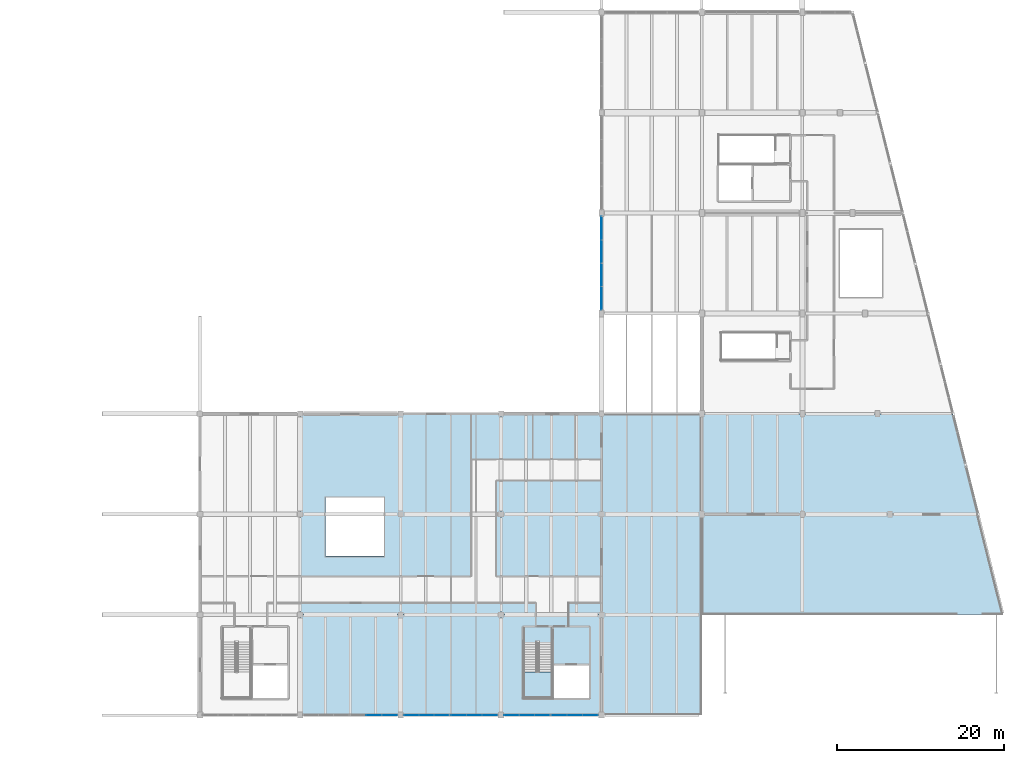
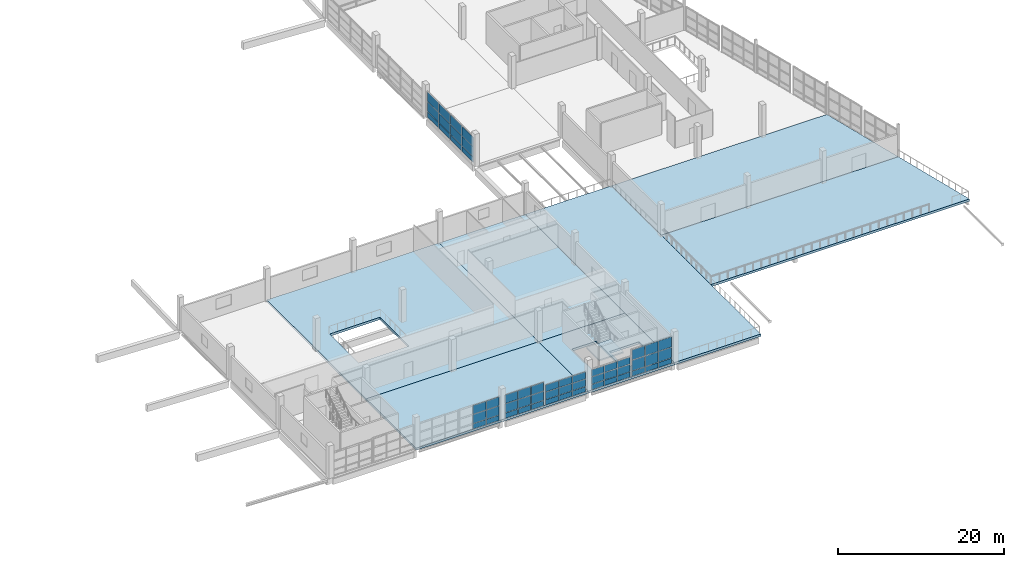
# One storey, part 30 of 49: 54 plates, 8 slabs, 7 elements without a shape of their own.
"""IFC4 building model written with IfcOpenShell, lengths in metres."""

import ifcopenshell
import ifcopenshell.guid

model = None  # the IFC model being written
_history = None  # IfcOwnerHistory: only IFC2X3 demands one
_inside = {}  # id of a spatial element -> (the spatial element, [elements in it])
_under = {}  # id of a project, library or spatial element -> (it, [spatial elements below it])
_declared = {}  # id of a project -> (the project, [libraries it declares])
_typed = {}  # id of a type object -> (the type object, [elements of that type])
_made_of = {}  # id of a material, layer set ... -> (it, [elements and type objects made of it])


def new_model(schema):
    """Start an empty IFC model of exactly this schema.

    Asked for "IFC4X3", IfcOpenShell would pick the latest addendum, in which some entities
    have other attributes; the version numbers below select the first issue.
    IFC2X3 requires an IfcOwnerHistory on every rooted entity: one is made here for all.
    """
    global model, _history
    if schema == "IFC4X3":
        model = ifcopenshell.file(schema_version=(4, 3, 0, 0))
    else:
        model = ifcopenshell.file(schema=schema)
    _inside.clear()
    _under.clear()
    _declared.clear()
    _typed.clear()
    _made_of.clear()
    _history = None
    if model.schema == "IFC2X3":
        org = make("IfcOrganization", Name="unknown")
        user = make(
            "IfcPersonAndOrganization",
            ThePerson=make("IfcPerson", FamilyName="unknown"),
            TheOrganization=org,
        )
        app = make(
            "IfcApplication",
            ApplicationDeveloper=org,
            Version="unknown",
            ApplicationFullName="unknown",
            ApplicationIdentifier="unknown",
        )
        _history = make(
            "IfcOwnerHistory",
            OwningUser=user,
            OwningApplication=app,
            ChangeAction="ADDED",
            CreationDate=0,
        )
    return model


def make(cls, **values):
    """One entity of the class cls with the attributes given. An attribute that is None is left unset."""
    return model.create_entity(
        cls, **{name: value for name, value in values.items() if value is not None}
    )


def rooted(cls, **values):
    """An entity with a GlobalId (a new one), such as an element, a storey or a relation."""
    return make(cls, GlobalId=ifcopenshell.guid.new(), OwnerHistory=_history, **values)


def si_unit(unit_type, name, prefix=None):
    """IfcSIUnit, for example si_unit("LENGTHUNIT", "METRE", prefix="MILLI")."""
    return make("IfcSIUnit", UnitType=unit_type, Prefix=prefix, Name=name)


def assignment(units):
    """IfcUnitAssignment: the units of a project."""
    return None if units is None else make("IfcUnitAssignment", Units=units)


def point(xyz):
    """IfcCartesianPoint."""
    return None if xyz is None else make("IfcCartesianPoint", Coordinates=xyz)


def direction(xyz):
    """IfcDirection."""
    return None if xyz is None else make("IfcDirection", DirectionRatios=xyz)


def frame(location, z_axis=None, x_axis=None):
    """IfcAxis2Placement3D, a coordinate frame: its origin and axes. An axis left out is left unset."""
    return make(
        "IfcAxis2Placement3D",
        Location=point(location),
        Axis=direction(z_axis),
        RefDirection=direction(x_axis),
    )


def frame_2d(location, x_axis=None):
    """IfcAxis2Placement2D, a coordinate frame in the plane: its origin and x axis."""
    return make(
        "IfcAxis2Placement2D", Location=point(location), RefDirection=direction(x_axis)
    )


def origin():
    """The frame at (0, 0, 0) with its axes left unset."""
    return frame((0.0, 0.0, 0.0))


def origin_2d():
    """The frame at (0, 0) in the plane with its x axis left unset."""
    return frame_2d((0.0, 0.0))


def place(relative_to, where):
    """IfcLocalPlacement: puts the frame where relative to a parent placement (None: the world)."""
    return make(
        "IfcLocalPlacement", PlacementRelTo=relative_to, RelativePlacement=where
    )


def context(
    kind, dimensions, precision=None, world=None, true_north=None, identifier=None
):
    """IfcGeometricRepresentationContext, for example the 3D "Model" context."""
    return make(
        "IfcGeometricRepresentationContext",
        ContextIdentifier=identifier,
        ContextType=kind,
        CoordinateSpaceDimension=dimensions,
        Precision=precision,
        WorldCoordinateSystem=world,
        TrueNorth=true_north,
    )


def subcontext(parent, identifier, kind, view, scale=None):
    """IfcGeometricRepresentationSubContext, for example "Body" below "Model"."""
    return make(
        "IfcGeometricRepresentationSubContext",
        ContextIdentifier=identifier,
        ContextType=kind,
        ParentContext=parent,
        TargetScale=scale,
        TargetView=view,
    )


def project(units=None, contexts=None):
    """IfcProject with its units and contexts."""
    return rooted(
        "IfcProject",
        Name="project",
        RepresentationContexts=contexts,
        UnitsInContext=assignment(units),
    )


def spatial(cls, under=None, at=None, **own):
    """A site, building, storey or space (cls), placed at a placement, below another one or the project."""
    s = rooted(cls, ObjectPlacement=at, **own)
    if under is not None:
        _under.setdefault(under.id(), (under, []))[1].append(s)
    return s


def polyline(points):
    """IfcPolyline through the points."""
    return make("IfcPolyline", Points=[point(p) for p in points])


def profile(cls, at=None, kind="AREA", **sizes):
    """A parametric profile (cls). Its sizes go by their IFC names, for example OverallWidth=200.0."""
    return make(cls, ProfileType=kind, Position=at, **sizes)


def rectangle(**sizes):
    """IfcRectangleProfileDef."""
    return profile("IfcRectangleProfileDef", **sizes)


def outline(outer, holes=None, kind="AREA"):
    """IfcArbitraryClosedProfileDef: a profile drawn as a closed curve; with holes, ...WithVoids."""
    if holes is None:
        return make("IfcArbitraryClosedProfileDef", ProfileType=kind, OuterCurve=outer)
    return make(
        "IfcArbitraryProfileDefWithVoids",
        ProfileType=kind,
        OuterCurve=outer,
        InnerCurves=holes,
    )


def extrude(swept, where, along, depth):
    """IfcExtrudedAreaSolid: the profile swept, set in the frame where, extruded along a direction by depth."""
    return make(
        "IfcExtrudedAreaSolid",
        SweptArea=swept,
        Position=where,
        ExtrudedDirection=direction(along),
        Depth=depth,
    )


def shape(context_of_items, identifier, shape_type, items):
    """IfcShapeRepresentation: the items that make up one representation, for example the "Body"."""
    return make(
        "IfcShapeRepresentation",
        ContextOfItems=context_of_items,
        RepresentationIdentifier=identifier,
        RepresentationType=shape_type,
        Items=items,
    )


def material(Name=None, Category=None):
    """IfcMaterial."""
    return make("IfcMaterial", Name=Name, Category=Category)


def layer(
    of_material, thickness, ventilated=None, Name=None, Category=None, Priority=None
):
    """IfcMaterialLayer: one layer of a wall or slab, of a material (None: an air gap)."""
    return make(
        "IfcMaterialLayer",
        Material=of_material,
        LayerThickness=thickness,
        IsVentilated=ventilated,
        Name=Name,
        Category=Category,
        Priority=Priority,
    )


def layer_set(layers, Name=None):
    """IfcMaterialLayerSet."""
    return make("IfcMaterialLayerSet", MaterialLayers=layers, LayerSetName=Name)


def made_of(thing, what):
    """Note that an element or type object is made of a material, layer set ...; save() writes the relation."""
    if what is not None:
        _made_of.setdefault(what.id(), (what, []))[1].append(thing)
    return thing


def type_object(cls, material=None, **own):
    """A type object (cls), such as IfcWallType, which elements share."""
    return made_of(rooted(cls, **own), material)


def element(
    cls,
    number,
    at=None,
    inside=None,
    cuts=None,
    type_object=None,
    material=None,
    context=None,
    identifier="Body",
    shape_type=None,
    held_by="IfcProductDefinitionShape",
    body=None,
    shapes=None,
    **own,
):
    """One element of the class cls, such as IfcWall. Its Tag is "e" and its number.

    at: its placement. inside: the storey or other place that contains it. cuts: it is an
    opening in that element (IfcRelVoidsElement). A single representation is given by context,
    identifier, shape_type and body (its items); several are given by shapes. held_by: the class
    of the entity that holds the representations. save() writes the other relations.
    """
    e = rooted(cls, Tag="e%d" % number, ObjectPlacement=at, **own)
    if body is not None:
        shapes = [shape(context, identifier, shape_type, body)]
    if shapes is not None:
        e.Representation = make(held_by, Representations=shapes)
    if inside is not None:
        _inside.setdefault(inside.id(), (inside, []))[1].append(e)
    if cuts is not None:
        rooted(
            "IfcRelVoidsElement", RelatingBuildingElement=cuts, RelatedOpeningElement=e
        )
    if type_object is not None:
        _typed.setdefault(type_object.id(), (type_object, []))[1].append(e)
    return made_of(e, material)


def aggregate(whole, parts):
    """IfcRelAggregates: a whole, such as a stair, and the parts it consists of."""
    return rooted("IfcRelAggregates", RelatingObject=whole, RelatedObjects=parts)


def save(model, path):
    """Write the relations noted so far, then the file.

    IfcRelAggregates (storeys below a building ...), IfcRelContainedInSpatialStructure (elements
    in a storey), IfcRelDefinesByType, IfcRelAssociatesMaterial and IfcRelDeclares: one each for
    every whole, place, type object, material and project.
    """
    for whole, parts in _under.values():
        aggregate(whole, parts)
    for where, things in _inside.values():
        rooted(
            "IfcRelContainedInSpatialStructure",
            RelatedElements=things,
            RelatingStructure=where,
        )
    for kind, things in _typed.values():
        rooted("IfcRelDefinesByType", RelatedObjects=things, RelatingType=kind)
    for what, things in _made_of.values():
        rooted("IfcRelAssociatesMaterial", RelatedObjects=things, RelatingMaterial=what)
    for by, libraries in _declared.values():
        rooted("IfcRelDeclares", RelatingContext=by, RelatedDefinitions=libraries)
    model.write(path)


model = new_model("IFC4")

# Units and contexts
model_context = context("Model", 3, precision=1e-05, world=origin(), true_north=direction((0.0, 1.0)))
body_context = subcontext(model_context, "Body", "Model", "MODEL_VIEW")
ifc_project = project(units=[si_unit("LENGTHUNIT", "METRE"), si_unit("AREAUNIT", "SQUARE_METRE"), si_unit("VOLUMEUNIT", "CUBIC_METRE"), si_unit("PLANEANGLEUNIT", "RADIAN"), si_unit("MASSUNIT", "GRAM", prefix="KILO")], contexts=[model_context])

# Site, building, storey
site_placement = place(None, origin())
site = spatial("IfcSite", under=ifc_project, at=site_placement, CompositionType="ELEMENT")
building_placement = place(site_placement, origin())
building = spatial("IfcBuilding", under=site, at=building_placement, Name="Kamomehara Wholesale Market", CompositionType="ELEMENT")
storey_placement = place(building_placement, frame((0.0, 0.0, 11.39990234375)))
storey = spatial("IfcBuildingStorey", under=building, at=storey_placement, Name="L02", CompositionType="ELEMENT", Elevation=11.39990234375)

# Curtain wall, plates
ifc_material_1 = material(Name="Anodised aluminium 6063-T5", Category="aluminium")
curtain_wall_type = type_object("IfcCurtainWallType", Name="CW-UN-01", PredefinedType="NOTDEFINED", material=ifc_material_1)
curtain_wall_1_placement = place(storey_placement, origin())
curtain_wall_1 = element("IfcCurtainWall", 1, at=curtain_wall_1_placement, inside=storey, type_object=curtain_wall_type, Name="Unitised curtain wall CW-145", PredefinedType="NOTDEFINED")
ifc_material_2 = material(Name="Solar-control Low-E double glazing", Category="glass")
ifc_layer_1 = layer(ifc_material_2, 0.028076171875)
ifc_layer_set_1 = layer_set([ifc_layer_1], Name="Solar-control Low-E double glazing")
plate_type_1 = type_object("IfcPlateType", Name="CW-PNL-GLZ", PredefinedType="CURTAIN_PANEL", material=ifc_layer_set_1)
plate_1_placement = place(storey_placement, frame((130.6669921875, 11.97998046875, 0.880126953125), z_axis=(0.0, 0.0, 1.0), x_axis=(-1.0, 0.0, 0.0)))
plate_1 = element("IfcPlate", 2, at=plate_1_placement, type_object=plate_type_1, Name="Curtain panel CW-145.0.1", PredefinedType="CURTAIN_PANEL", context=body_context, shape_type="SweptSolid", body=[
    extrude(rectangle(XDim=1.787109375, YDim=0.028076171875, at=origin_2d()), origin(), (0.0, 0.0, 1.0), 1.31396484375),
])
plate_2_placement = place(storey_placement, frame((130.6669921875, 11.97998046875, 2.254150390625), z_axis=(0.0, 0.0, 1.0), x_axis=(-1.0, 0.0, 0.0)))
plate_2 = element("IfcPlate", 3, at=plate_2_placement, type_object=plate_type_1, Name="Curtain panel CW-145.0.2", PredefinedType="CURTAIN_PANEL", context=body_context, shape_type="SweptSolid", body=[
    extrude(rectangle(XDim=1.787109375, YDim=0.028076171875, at=origin_2d()), origin(), (0.0, 0.0, 1.0), 1.27392578125),
])
plate_3_placement = place(storey_placement, frame((128.800048828125, 11.97998046875, 0.880126953125), z_axis=(0.0, 0.0, 1.0), x_axis=(-1.0, 0.0, 0.0)))
plate_3 = element("IfcPlate", 4, at=plate_3_placement, type_object=plate_type_1, Name="Curtain panel CW-145.1.1", PredefinedType="CURTAIN_PANEL", context=body_context, shape_type="SweptSolid", body=[
    extrude(rectangle(XDim=1.787109375, YDim=0.028076171875, at=origin_2d()), origin(), (0.0, 0.0, 1.0), 1.31396484375),
])
plate_4_placement = place(storey_placement, frame((128.800048828125, 11.97998046875, 2.254150390625), z_axis=(0.0, 0.0, 1.0), x_axis=(-1.0, 0.0, 0.0)))
plate_4 = element("IfcPlate", 5, at=plate_4_placement, type_object=plate_type_1, Name="Curtain panel CW-145.1.2", PredefinedType="CURTAIN_PANEL", context=body_context, shape_type="SweptSolid", body=[
    extrude(rectangle(XDim=1.787109375, YDim=0.028076171875, at=origin_2d()), origin(), (0.0, 0.0, 1.0), 1.27392578125),
])

curtain_wall_2_placement = place(storey_placement, origin())
curtain_wall_2 = element("IfcCurtainWall", 6, at=curtain_wall_2_placement, inside=storey, type_object=curtain_wall_type, Name="Unitised curtain wall CW-147", PredefinedType="NOTDEFINED")
plate_5_placement = place(storey_placement, frame((142.6669921875, 11.97998046875, 0.8798828125), z_axis=(0.0, 0.0, 1.0), x_axis=(-1.0, 0.0, 0.0)))
plate_5 = element("IfcPlate", 7, at=plate_5_placement, type_object=plate_type_1, Name="Curtain panel CW-147.0.1", PredefinedType="CURTAIN_PANEL", context=body_context, shape_type="SweptSolid", body=[
    extrude(rectangle(XDim=1.787109375, YDim=0.028076171875, at=origin_2d()), origin(), (0.0, 0.0, 1.0), 1.053955078125),
])
plate_6_placement = place(storey_placement, frame((142.6669921875, 11.97998046875, 1.994140625), z_axis=(0.0, 0.0, 1.0), x_axis=(-1.0, 0.0, 0.0)))
plate_6 = element("IfcPlate", 8, at=plate_6_placement, type_object=plate_type_1, Name="Curtain panel CW-147.0.2", PredefinedType="CURTAIN_PANEL", context=body_context, shape_type="SweptSolid", body=[
    extrude(rectangle(XDim=1.787109375, YDim=0.028076171875, at=origin_2d()), origin(), (0.0, 0.0, 1.0), 1.013916015625),
])
plate_7_placement = place(storey_placement, frame((140.800048828125, 11.97998046875, 0.8798828125), z_axis=(0.0, 0.0, 1.0), x_axis=(-1.0, 0.0, 0.0)))
plate_7 = element("IfcPlate", 9, at=plate_7_placement, type_object=plate_type_1, Name="Curtain panel CW-147.1.1", PredefinedType="CURTAIN_PANEL", context=body_context, shape_type="SweptSolid", body=[
    extrude(rectangle(XDim=1.787109375, YDim=0.028076171875, at=origin_2d()), origin(), (0.0, 0.0, 1.0), 1.053955078125),
])
plate_8_placement = place(storey_placement, frame((140.800048828125, 11.97998046875, 1.994140625), z_axis=(0.0, 0.0, 1.0), x_axis=(-1.0, 0.0, 0.0)))
plate_8 = element("IfcPlate", 10, at=plate_8_placement, type_object=plate_type_1, Name="Curtain panel CW-147.1.2", PredefinedType="CURTAIN_PANEL", context=body_context, shape_type="SweptSolid", body=[
    extrude(rectangle(XDim=1.787109375, YDim=0.028076171875, at=origin_2d()), origin(), (0.0, 0.0, 1.0), 1.013916015625),
])
plate_9_placement = place(storey_placement, frame((138.93310546875, 11.97998046875, 0.8798828125), z_axis=(0.0, 0.0, 1.0), x_axis=(-1.0, 0.0, 0.0)))
plate_9 = element("IfcPlate", 11, at=plate_9_placement, type_object=plate_type_1, Name="Curtain panel CW-147.2.1", PredefinedType="CURTAIN_PANEL", context=body_context, shape_type="SweptSolid", body=[
    extrude(rectangle(XDim=1.787109375, YDim=0.028076171875, at=origin_2d()), origin(), (0.0, 0.0, 1.0), 1.053955078125),
])
plate_10_placement = place(storey_placement, frame((138.93310546875, 11.97998046875, 1.994140625), z_axis=(0.0, 0.0, 1.0), x_axis=(-1.0, 0.0, 0.0)))
plate_10 = element("IfcPlate", 12, at=plate_10_placement, type_object=plate_type_1, Name="Curtain panel CW-147.2.2", PredefinedType="CURTAIN_PANEL", context=body_context, shape_type="SweptSolid", body=[
    extrude(rectangle(XDim=1.787109375, YDim=0.028076171875, at=origin_2d()), origin(), (0.0, 0.0, 1.0), 1.013916015625),
])

curtain_wall_3_placement = place(storey_placement, origin())
curtain_wall_3 = element("IfcCurtainWall", 13, at=curtain_wall_3_placement, inside=storey, type_object=curtain_wall_type, Name="Unitised curtain wall CW-148", PredefinedType="NOTDEFINED")
plate_11_placement = place(storey_placement, frame((136.89306640625, 11.97998046875, 0.879638671875), z_axis=(0.0, 0.0, 1.0), x_axis=(-1.0, 0.0, 0.0)))
plate_11 = element("IfcPlate", 14, at=plate_11_placement, type_object=plate_type_1, Name="Curtain panel CW-148.0.1", PredefinedType="CURTAIN_PANEL", context=body_context, shape_type="SweptSolid", body=[
    extrude(rectangle(XDim=1.73291015625, YDim=0.028076171875, at=origin_2d()), origin(), (0.0, 0.0, 1.0), 1.30908203125),
])
plate_12_placement = place(storey_placement, frame((136.89306640625, 11.97998046875, 2.24951171875), z_axis=(0.0, 0.0, 1.0), x_axis=(-1.0, 0.0, 0.0)))
plate_12 = element("IfcPlate", 15, at=plate_12_placement, type_object=plate_type_1, Name="Curtain panel CW-148.0.2", PredefinedType="CURTAIN_PANEL", context=body_context, shape_type="SweptSolid", body=[
    extrude(rectangle(XDim=1.73291015625, YDim=0.028076171875, at=origin_2d()), origin(), (0.0, 0.0, 1.0), 1.26904296875),
])
plate_13_placement = place(storey_placement, frame((135.080078125, 11.97998046875, 0.879638671875), z_axis=(0.0, 0.0, 1.0), x_axis=(-1.0, 0.0, 0.0)))
plate_13 = element("IfcPlate", 16, at=plate_13_placement, type_object=plate_type_1, Name="Curtain panel CW-148.1.1", PredefinedType="CURTAIN_PANEL", context=body_context, shape_type="SweptSolid", body=[
    extrude(rectangle(XDim=1.73291015625, YDim=0.028076171875, at=origin_2d()), origin(), (0.0, 0.0, 1.0), 1.30908203125),
])
plate_14_placement = place(storey_placement, frame((135.080078125, 11.97998046875, 2.24951171875), z_axis=(0.0, 0.0, 1.0), x_axis=(-1.0, 0.0, 0.0)))
plate_14 = element("IfcPlate", 17, at=plate_14_placement, type_object=plate_type_1, Name="Curtain panel CW-148.1.2", PredefinedType="CURTAIN_PANEL", context=body_context, shape_type="SweptSolid", body=[
    extrude(rectangle(XDim=1.73291015625, YDim=0.028076171875, at=origin_2d()), origin(), (0.0, 0.0, 1.0), 1.26904296875),
])
plate_15_placement = place(storey_placement, frame((133.26708984375, 11.97998046875, 0.879638671875), z_axis=(0.0, 0.0, 1.0), x_axis=(-1.0, 0.0, 0.0)))
plate_15 = element("IfcPlate", 18, at=plate_15_placement, type_object=plate_type_1, Name="Curtain panel CW-148.2.1", PredefinedType="CURTAIN_PANEL", context=body_context, shape_type="SweptSolid", body=[
    extrude(rectangle(XDim=1.73291015625, YDim=0.028076171875, at=origin_2d()), origin(), (0.0, 0.0, 1.0), 1.30908203125),
])
plate_16_placement = place(storey_placement, frame((133.26708984375, 11.97998046875, 2.24951171875), z_axis=(0.0, 0.0, 1.0), x_axis=(-1.0, 0.0, 0.0)))
plate_16 = element("IfcPlate", 19, at=plate_16_placement, type_object=plate_type_1, Name="Curtain panel CW-148.2.2", PredefinedType="CURTAIN_PANEL", context=body_context, shape_type="SweptSolid", body=[
    extrude(rectangle(XDim=1.73291015625, YDim=0.028076171875, at=origin_2d()), origin(), (0.0, 0.0, 1.0), 1.26904296875),
])

curtain_wall_4_placement = place(storey_placement, origin())
curtain_wall_4 = element("IfcCurtainWall", 20, at=curtain_wall_4_placement, inside=storey, type_object=curtain_wall_type, Name="Unitised curtain wall CW-149", PredefinedType="NOTDEFINED")
plate_17_placement = place(storey_placement, frame((154.6669921875, 11.97998046875, 0.88037109375), z_axis=(0.0, 0.0, 1.0), x_axis=(-1.0, 0.0, 0.0)))
plate_17 = element("IfcPlate", 21, at=plate_17_placement, type_object=plate_type_1, Name="Curtain panel CW-149.0.1", PredefinedType="CURTAIN_PANEL", context=body_context, shape_type="SweptSolid", body=[
    extrude(rectangle(XDim=1.787109375, YDim=0.028076171875, at=origin_2d()), origin(), (0.0, 0.0, 1.0), 1.533935546875),
])
plate_18_placement = place(storey_placement, frame((154.6669921875, 11.97998046875, 2.47412109375), z_axis=(0.0, 0.0, 1.0), x_axis=(-1.0, 0.0, 0.0)))
plate_18 = element("IfcPlate", 22, at=plate_18_placement, type_object=plate_type_1, Name="Curtain panel CW-149.0.2", PredefinedType="CURTAIN_PANEL", context=body_context, shape_type="SweptSolid", body=[
    extrude(rectangle(XDim=1.787109375, YDim=0.028076171875, at=origin_2d()), origin(), (0.0, 0.0, 1.0), 1.493896484375),
])
plate_19_placement = place(storey_placement, frame((152.800048828125, 11.97998046875, 0.88037109375), z_axis=(0.0, 0.0, 1.0), x_axis=(-1.0, 0.0, 0.0)))
plate_19 = element("IfcPlate", 23, at=plate_19_placement, type_object=plate_type_1, Name="Curtain panel CW-149.1.1", PredefinedType="CURTAIN_PANEL", context=body_context, shape_type="SweptSolid", body=[
    extrude(rectangle(XDim=1.787109375, YDim=0.028076171875, at=origin_2d()), origin(), (0.0, 0.0, 1.0), 1.533935546875),
])
plate_20_placement = place(storey_placement, frame((152.800048828125, 11.97998046875, 2.47412109375), z_axis=(0.0, 0.0, 1.0), x_axis=(-1.0, 0.0, 0.0)))
plate_20 = element("IfcPlate", 24, at=plate_20_placement, type_object=plate_type_1, Name="Curtain panel CW-149.1.2", PredefinedType="CURTAIN_PANEL", context=body_context, shape_type="SweptSolid", body=[
    extrude(rectangle(XDim=1.787109375, YDim=0.028076171875, at=origin_2d()), origin(), (0.0, 0.0, 1.0), 1.493896484375),
])
plate_21_placement = place(storey_placement, frame((150.93310546875, 11.97998046875, 0.88037109375), z_axis=(0.0, 0.0, 1.0), x_axis=(-1.0, 0.0, 0.0)))
plate_21 = element("IfcPlate", 25, at=plate_21_placement, type_object=plate_type_1, Name="Curtain panel CW-149.2.1", PredefinedType="CURTAIN_PANEL", context=body_context, shape_type="SweptSolid", body=[
    extrude(rectangle(XDim=1.787109375, YDim=0.028076171875, at=origin_2d()), origin(), (0.0, 0.0, 1.0), 1.533935546875),
])
plate_22_placement = place(storey_placement, frame((150.93310546875, 11.97998046875, 2.47412109375), z_axis=(0.0, 0.0, 1.0), x_axis=(-1.0, 0.0, 0.0)))
plate_22 = element("IfcPlate", 26, at=plate_22_placement, type_object=plate_type_1, Name="Curtain panel CW-149.2.2", PredefinedType="CURTAIN_PANEL", context=body_context, shape_type="SweptSolid", body=[
    extrude(rectangle(XDim=1.787109375, YDim=0.028076171875, at=origin_2d()), origin(), (0.0, 0.0, 1.0), 1.493896484375),
])

curtain_wall_5_placement = place(storey_placement, origin())
curtain_wall_5 = element("IfcCurtainWall", 27, at=curtain_wall_5_placement, inside=storey, type_object=curtain_wall_type, Name="Unitised curtain wall CW-150", PredefinedType="NOTDEFINED")
plate_23_placement = place(storey_placement, frame((148.89306640625, 11.97998046875, 0.8798828125), z_axis=(0.0, 0.0, 1.0), x_axis=(-1.0, 0.0, 0.0)))
plate_23 = element("IfcPlate", 28, at=plate_23_placement, type_object=plate_type_1, Name="Curtain panel CW-150.0.1", PredefinedType="CURTAIN_PANEL", context=body_context, shape_type="SweptSolid", body=[
    extrude(rectangle(XDim=1.73291015625, YDim=0.028076171875, at=origin_2d()), origin(), (0.0, 0.0, 1.0), 1.053955078125),
])
plate_24_placement = place(storey_placement, frame((148.89306640625, 11.97998046875, 1.994140625), z_axis=(0.0, 0.0, 1.0), x_axis=(-1.0, 0.0, 0.0)))
plate_24 = element("IfcPlate", 29, at=plate_24_placement, type_object=plate_type_1, Name="Curtain panel CW-150.0.2", PredefinedType="CURTAIN_PANEL", context=body_context, shape_type="SweptSolid", body=[
    extrude(rectangle(XDim=1.73291015625, YDim=0.028076171875, at=origin_2d()), origin(), (0.0, 0.0, 1.0), 1.013916015625),
])
plate_25_placement = place(storey_placement, frame((147.080078125, 11.97998046875, 0.8798828125), z_axis=(0.0, 0.0, 1.0), x_axis=(-1.0, 0.0, 0.0)))
plate_25 = element("IfcPlate", 30, at=plate_25_placement, type_object=plate_type_1, Name="Curtain panel CW-150.1.1", PredefinedType="CURTAIN_PANEL", context=body_context, shape_type="SweptSolid", body=[
    extrude(rectangle(XDim=1.73291015625, YDim=0.028076171875, at=origin_2d()), origin(), (0.0, 0.0, 1.0), 1.053955078125),
])
plate_26_placement = place(storey_placement, frame((147.080078125, 11.97998046875, 1.994140625), z_axis=(0.0, 0.0, 1.0), x_axis=(-1.0, 0.0, 0.0)))
plate_26 = element("IfcPlate", 31, at=plate_26_placement, type_object=plate_type_1, Name="Curtain panel CW-150.1.2", PredefinedType="CURTAIN_PANEL", context=body_context, shape_type="SweptSolid", body=[
    extrude(rectangle(XDim=1.73291015625, YDim=0.028076171875, at=origin_2d()), origin(), (0.0, 0.0, 1.0), 1.013916015625),
])
plate_27_placement = place(storey_placement, frame((145.26708984375, 11.97998046875, 0.8798828125), z_axis=(0.0, 0.0, 1.0), x_axis=(-1.0, 0.0, 0.0)))
plate_27 = element("IfcPlate", 32, at=plate_27_placement, type_object=plate_type_1, Name="Curtain panel CW-150.2.1", PredefinedType="CURTAIN_PANEL", context=body_context, shape_type="SweptSolid", body=[
    extrude(rectangle(XDim=1.73291015625, YDim=0.028076171875, at=origin_2d()), origin(), (0.0, 0.0, 1.0), 1.053955078125),
])
plate_28_placement = place(storey_placement, frame((145.26708984375, 11.97998046875, 1.994140625), z_axis=(0.0, 0.0, 1.0), x_axis=(-1.0, 0.0, 0.0)))
plate_28 = element("IfcPlate", 33, at=plate_28_placement, type_object=plate_type_1, Name="Curtain panel CW-150.2.2", PredefinedType="CURTAIN_PANEL", context=body_context, shape_type="SweptSolid", body=[
    extrude(rectangle(XDim=1.73291015625, YDim=0.028076171875, at=origin_2d()), origin(), (0.0, 0.0, 1.0), 1.013916015625),
])

curtain_wall_6_placement = place(storey_placement, origin())
curtain_wall_6 = element("IfcCurtainWall", 34, at=curtain_wall_6_placement, inside=storey, type_object=curtain_wall_type, Name="Unitised curtain wall CW-208", PredefinedType="NOTDEFINED")
plate_29_placement = place(storey_placement, frame((155.97998046875, 61.806884765625, 0.88037109375), z_axis=(0.0, 0.0, 1.0), x_axis=(0.0, 1.0, 0.0)))
plate_29 = element("IfcPlate", 35, at=plate_29_placement, type_object=plate_type_1, Name="Curtain panel CW-208.0.1", PredefinedType="CURTAIN_PANEL", context=body_context, shape_type="SweptSolid", body=[
    extrude(rectangle(XDim=2.715087890625, YDim=0.028076171875, at=origin_2d()), origin(), (0.0, 0.0, 1.0), 1.429931640625),
])
plate_30_placement = place(storey_placement, frame((155.97998046875, 61.806884765625, 2.3701171875), z_axis=(0.0, 0.0, 1.0), x_axis=(0.0, 1.0, 0.0)))
plate_30 = element("IfcPlate", 36, at=plate_30_placement, type_object=plate_type_1, Name="Curtain panel CW-208.0.2", PredefinedType="CURTAIN_PANEL", context=body_context, shape_type="SweptSolid", body=[
    extrude(rectangle(XDim=2.715087890625, YDim=0.028076171875, at=origin_2d()), origin(), (0.0, 0.0, 1.0), 1.389892578125),
])
plate_31_placement = place(storey_placement, frame((155.97998046875, 64.60205078125, 0.88037109375), z_axis=(0.0, 0.0, 1.0), x_axis=(0.0, 1.0, 0.0)))
plate_31 = element("IfcPlate", 37, at=plate_31_placement, type_object=plate_type_1, Name="Curtain panel CW-208.1.1", PredefinedType="CURTAIN_PANEL", context=body_context, shape_type="SweptSolid", body=[
    extrude(rectangle(XDim=2.715087890625, YDim=0.028076171875, at=origin_2d()), origin(), (0.0, 0.0, 1.0), 1.429931640625),
])
plate_32_placement = place(storey_placement, frame((155.97998046875, 64.60205078125, 2.3701171875), z_axis=(0.0, 0.0, 1.0), x_axis=(0.0, 1.0, 0.0)))
plate_32 = element("IfcPlate", 38, at=plate_32_placement, type_object=plate_type_1, Name="Curtain panel CW-208.1.2", PredefinedType="CURTAIN_PANEL", context=body_context, shape_type="SweptSolid", body=[
    extrude(rectangle(XDim=2.715087890625, YDim=0.028076171875, at=origin_2d()), origin(), (0.0, 0.0, 1.0), 1.389892578125),
])
plate_33_placement = place(storey_placement, frame((155.97998046875, 67.39794921875, 0.88037109375), z_axis=(0.0, 0.0, 1.0), x_axis=(0.0, 1.0, 0.0)))
plate_33 = element("IfcPlate", 39, at=plate_33_placement, type_object=plate_type_1, Name="Curtain panel CW-208.2.1", PredefinedType="CURTAIN_PANEL", context=body_context, shape_type="SweptSolid", body=[
    extrude(rectangle(XDim=2.715087890625, YDim=0.028076171875, at=origin_2d()), origin(), (0.0, 0.0, 1.0), 1.429931640625),
])
plate_34_placement = place(storey_placement, frame((155.97998046875, 67.39794921875, 2.3701171875), z_axis=(0.0, 0.0, 1.0), x_axis=(0.0, 1.0, 0.0)))
plate_34 = element("IfcPlate", 40, at=plate_34_placement, type_object=plate_type_1, Name="Curtain panel CW-208.2.2", PredefinedType="CURTAIN_PANEL", context=body_context, shape_type="SweptSolid", body=[
    extrude(rectangle(XDim=2.715087890625, YDim=0.028076171875, at=origin_2d()), origin(), (0.0, 0.0, 1.0), 1.389892578125),
])
plate_35_placement = place(storey_placement, frame((155.97998046875, 70.19189453125, 0.88037109375), z_axis=(0.0, 0.0, 1.0), x_axis=(0.0, 1.0, 0.0)))
plate_35 = element("IfcPlate", 41, at=plate_35_placement, type_object=plate_type_1, Name="Curtain panel CW-208.3.1", PredefinedType="CURTAIN_PANEL", context=body_context, shape_type="SweptSolid", body=[
    extrude(rectangle(XDim=2.715087890625, YDim=0.028076171875, at=origin_2d()), origin(), (0.0, 0.0, 1.0), 1.429931640625),
])
plate_36_placement = place(storey_placement, frame((155.97998046875, 70.19189453125, 2.3701171875), z_axis=(0.0, 0.0, 1.0), x_axis=(0.0, 1.0, 0.0)))
plate_36 = element("IfcPlate", 42, at=plate_36_placement, type_object=plate_type_1, Name="Curtain panel CW-208.3.2", PredefinedType="CURTAIN_PANEL", context=body_context, shape_type="SweptSolid", body=[
    extrude(rectangle(XDim=2.715087890625, YDim=0.028076171875, at=origin_2d()), origin(), (0.0, 0.0, 1.0), 1.389892578125),
])

# Plate
ifc_material_3 = material(Name="Insulated aluminium spandrel panel", Category="aluminium")
ifc_layer_2 = layer(ifc_material_3, 0.0400390625)
ifc_layer_set_2 = layer_set([ifc_layer_2], Name="Insulated aluminium spandrel panel")
plate_type_2 = type_object("IfcPlateType", Name="CW-PNL-SPN", PredefinedType="CURTAIN_PANEL", material=ifc_layer_set_2)
plate_37_placement = place(storey_placement, frame((130.6669921875, 11.97998046875, 0.070068359375), z_axis=(0.0, 0.0, 1.0), x_axis=(-1.0, 0.0, 0.0)))
plate_37 = element("IfcPlate", 43, at=plate_37_placement, type_object=plate_type_2, Name="Curtain panel CW-145.0.0", PredefinedType="CURTAIN_PANEL", context=body_context, shape_type="SweptSolid", body=[
    extrude(rectangle(XDim=1.787109375, YDim=0.0400390625, at=origin_2d()), origin(), (0.0, 0.0, 1.0), 0.75),
])

plate_38_placement = place(storey_placement, frame((128.800048828125, 11.97998046875, 0.070068359375), z_axis=(0.0, 0.0, 1.0), x_axis=(-1.0, 0.0, 0.0)))
plate_38 = element("IfcPlate", 44, at=plate_38_placement, type_object=plate_type_2, Name="Curtain panel CW-145.1.0", PredefinedType="CURTAIN_PANEL", context=body_context, shape_type="SweptSolid", body=[
    extrude(rectangle(XDim=1.787109375, YDim=0.0400390625, at=origin_2d()), origin(), (0.0, 0.0, 1.0), 0.75),
])

aggregate(curtain_wall_1, [plate_37, plate_1, plate_2, plate_38, plate_3, plate_4])

plate_39_placement = place(storey_placement, frame((142.6669921875, 11.97998046875, 0.070068359375), z_axis=(0.0, 0.0, 1.0), x_axis=(-1.0, 0.0, 0.0)))
plate_39 = element("IfcPlate", 45, at=plate_39_placement, type_object=plate_type_2, Name="Curtain panel CW-147.0.0", PredefinedType="CURTAIN_PANEL", context=body_context, shape_type="SweptSolid", body=[
    extrude(rectangle(XDim=1.787109375, YDim=0.0400390625, at=origin_2d()), origin(), (0.0, 0.0, 1.0), 0.75),
])

plate_40_placement = place(storey_placement, frame((140.800048828125, 11.97998046875, 0.070068359375), z_axis=(0.0, 0.0, 1.0), x_axis=(-1.0, 0.0, 0.0)))
plate_40 = element("IfcPlate", 46, at=plate_40_placement, type_object=plate_type_2, Name="Curtain panel CW-147.1.0", PredefinedType="CURTAIN_PANEL", context=body_context, shape_type="SweptSolid", body=[
    extrude(rectangle(XDim=1.787109375, YDim=0.0400390625, at=origin_2d()), origin(), (0.0, 0.0, 1.0), 0.75),
])

plate_41_placement = place(storey_placement, frame((138.93310546875, 11.97998046875, 0.070068359375), z_axis=(0.0, 0.0, 1.0), x_axis=(-1.0, 0.0, 0.0)))
plate_41 = element("IfcPlate", 47, at=plate_41_placement, type_object=plate_type_2, Name="Curtain panel CW-147.2.0", PredefinedType="CURTAIN_PANEL", context=body_context, shape_type="SweptSolid", body=[
    extrude(rectangle(XDim=1.787109375, YDim=0.0400390625, at=origin_2d()), origin(), (0.0, 0.0, 1.0), 0.75),
])

aggregate(curtain_wall_2, [plate_39, plate_5, plate_6, plate_40, plate_7, plate_8, plate_41, plate_9, plate_10])

plate_42_placement = place(storey_placement, frame((136.89306640625, 11.97998046875, 0.070068359375), z_axis=(0.0, 0.0, 1.0), x_axis=(-1.0, 0.0, 0.0)))
plate_42 = element("IfcPlate", 48, at=plate_42_placement, type_object=plate_type_2, Name="Curtain panel CW-148.0.0", PredefinedType="CURTAIN_PANEL", context=body_context, shape_type="SweptSolid", body=[
    extrude(rectangle(XDim=1.73291015625, YDim=0.0400390625, at=origin_2d()), origin(), (0.0, 0.0, 1.0), 0.75),
])

plate_43_placement = place(storey_placement, frame((135.080078125, 11.97998046875, 0.070068359375), z_axis=(0.0, 0.0, 1.0), x_axis=(-1.0, 0.0, 0.0)))
plate_43 = element("IfcPlate", 49, at=plate_43_placement, type_object=plate_type_2, Name="Curtain panel CW-148.1.0", PredefinedType="CURTAIN_PANEL", context=body_context, shape_type="SweptSolid", body=[
    extrude(rectangle(XDim=1.73291015625, YDim=0.0400390625, at=origin_2d()), origin(), (0.0, 0.0, 1.0), 0.75),
])

plate_44_placement = place(storey_placement, frame((133.26708984375, 11.97998046875, 0.070068359375), z_axis=(0.0, 0.0, 1.0), x_axis=(-1.0, 0.0, 0.0)))
plate_44 = element("IfcPlate", 50, at=plate_44_placement, type_object=plate_type_2, Name="Curtain panel CW-148.2.0", PredefinedType="CURTAIN_PANEL", context=body_context, shape_type="SweptSolid", body=[
    extrude(rectangle(XDim=1.73291015625, YDim=0.0400390625, at=origin_2d()), origin(), (0.0, 0.0, 1.0), 0.75),
])

aggregate(curtain_wall_3, [plate_42, plate_11, plate_12, plate_43, plate_13, plate_14, plate_44, plate_15, plate_16])

plate_45_placement = place(storey_placement, frame((154.6669921875, 11.97998046875, 0.070068359375), z_axis=(0.0, 0.0, 1.0), x_axis=(-1.0, 0.0, 0.0)))
plate_45 = element("IfcPlate", 51, at=plate_45_placement, type_object=plate_type_2, Name="Curtain panel CW-149.0.0", PredefinedType="CURTAIN_PANEL", context=body_context, shape_type="SweptSolid", body=[
    extrude(rectangle(XDim=1.787109375, YDim=0.0400390625, at=origin_2d()), origin(), (0.0, 0.0, 1.0), 0.75),
])

plate_46_placement = place(storey_placement, frame((152.800048828125, 11.97998046875, 0.070068359375), z_axis=(0.0, 0.0, 1.0), x_axis=(-1.0, 0.0, 0.0)))
plate_46 = element("IfcPlate", 52, at=plate_46_placement, type_object=plate_type_2, Name="Curtain panel CW-149.1.0", PredefinedType="CURTAIN_PANEL", context=body_context, shape_type="SweptSolid", body=[
    extrude(rectangle(XDim=1.787109375, YDim=0.0400390625, at=origin_2d()), origin(), (0.0, 0.0, 1.0), 0.75),
])

plate_47_placement = place(storey_placement, frame((150.93310546875, 11.97998046875, 0.070068359375), z_axis=(0.0, 0.0, 1.0), x_axis=(-1.0, 0.0, 0.0)))
plate_47 = element("IfcPlate", 53, at=plate_47_placement, type_object=plate_type_2, Name="Curtain panel CW-149.2.0", PredefinedType="CURTAIN_PANEL", context=body_context, shape_type="SweptSolid", body=[
    extrude(rectangle(XDim=1.787109375, YDim=0.0400390625, at=origin_2d()), origin(), (0.0, 0.0, 1.0), 0.75),
])

aggregate(curtain_wall_4, [plate_45, plate_17, plate_18, plate_46, plate_19, plate_20, plate_47, plate_21, plate_22])

plate_48_placement = place(storey_placement, frame((148.89306640625, 11.97998046875, 0.070068359375), z_axis=(0.0, 0.0, 1.0), x_axis=(-1.0, 0.0, 0.0)))
plate_48 = element("IfcPlate", 54, at=plate_48_placement, type_object=plate_type_2, Name="Curtain panel CW-150.0.0", PredefinedType="CURTAIN_PANEL", context=body_context, shape_type="SweptSolid", body=[
    extrude(rectangle(XDim=1.73291015625, YDim=0.0400390625, at=origin_2d()), origin(), (0.0, 0.0, 1.0), 0.75),
])

plate_49_placement = place(storey_placement, frame((147.080078125, 11.97998046875, 0.070068359375), z_axis=(0.0, 0.0, 1.0), x_axis=(-1.0, 0.0, 0.0)))
plate_49 = element("IfcPlate", 55, at=plate_49_placement, type_object=plate_type_2, Name="Curtain panel CW-150.1.0", PredefinedType="CURTAIN_PANEL", context=body_context, shape_type="SweptSolid", body=[
    extrude(rectangle(XDim=1.73291015625, YDim=0.0400390625, at=origin_2d()), origin(), (0.0, 0.0, 1.0), 0.75),
])

plate_50_placement = place(storey_placement, frame((145.26708984375, 11.97998046875, 0.070068359375), z_axis=(0.0, 0.0, 1.0), x_axis=(-1.0, 0.0, 0.0)))
plate_50 = element("IfcPlate", 56, at=plate_50_placement, type_object=plate_type_2, Name="Curtain panel CW-150.2.0", PredefinedType="CURTAIN_PANEL", context=body_context, shape_type="SweptSolid", body=[
    extrude(rectangle(XDim=1.73291015625, YDim=0.0400390625, at=origin_2d()), origin(), (0.0, 0.0, 1.0), 0.75),
])

aggregate(curtain_wall_5, [plate_48, plate_23, plate_24, plate_49, plate_25, plate_26, plate_50, plate_27, plate_28])

plate_51_placement = place(storey_placement, frame((155.97998046875, 61.806884765625, 0.070068359375), z_axis=(0.0, 0.0, 1.0), x_axis=(0.0, 1.0, 0.0)))
plate_51 = element("IfcPlate", 57, at=plate_51_placement, type_object=plate_type_2, Name="Curtain panel CW-208.0.0", PredefinedType="CURTAIN_PANEL", context=body_context, shape_type="SweptSolid", body=[
    extrude(rectangle(XDim=2.715087890625, YDim=0.0400390625, at=origin_2d()), origin(), (0.0, 0.0, 1.0), 0.75),
])

plate_52_placement = place(storey_placement, frame((155.97998046875, 64.60205078125, 0.070068359375), z_axis=(0.0, 0.0, 1.0), x_axis=(0.0, 1.0, 0.0)))
plate_52 = element("IfcPlate", 58, at=plate_52_placement, type_object=plate_type_2, Name="Curtain panel CW-208.1.0", PredefinedType="CURTAIN_PANEL", context=body_context, shape_type="SweptSolid", body=[
    extrude(rectangle(XDim=2.715087890625, YDim=0.0400390625, at=origin_2d()), origin(), (0.0, 0.0, 1.0), 0.75),
])

plate_53_placement = place(storey_placement, frame((155.97998046875, 67.39794921875, 0.070068359375), z_axis=(0.0, 0.0, 1.0), x_axis=(0.0, 1.0, 0.0)))
plate_53 = element("IfcPlate", 59, at=plate_53_placement, type_object=plate_type_2, Name="Curtain panel CW-208.2.0", PredefinedType="CURTAIN_PANEL", context=body_context, shape_type="SweptSolid", body=[
    extrude(rectangle(XDim=2.715087890625, YDim=0.0400390625, at=origin_2d()), origin(), (0.0, 0.0, 1.0), 0.75),
])

plate_54_placement = place(storey_placement, frame((155.97998046875, 70.19189453125, 0.070068359375), z_axis=(0.0, 0.0, 1.0), x_axis=(0.0, 1.0, 0.0)))
plate_54 = element("IfcPlate", 60, at=plate_54_placement, type_object=plate_type_2, Name="Curtain panel CW-208.3.0", PredefinedType="CURTAIN_PANEL", context=body_context, shape_type="SweptSolid", body=[
    extrude(rectangle(XDim=2.715087890625, YDim=0.0400390625, at=origin_2d()), origin(), (0.0, 0.0, 1.0), 0.75),
])

aggregate(curtain_wall_6, [plate_51, plate_29, plate_30, plate_52, plate_31, plate_32, plate_53, plate_33, plate_34, plate_54, plate_35, plate_36])

# Slabs
ifc_material_4 = material(Name="Concrete Fc30 (C30/37)", Category="concrete")
ifc_layer_3 = layer(ifc_material_4, 0.3349609375)
ifc_layer_set_3 = layer_set([ifc_layer_3], Name="Concrete Fc30 (C30/37)")
slab_type_1 = type_object("IfcSlabType", Name="SLB-EXT-240", PredefinedType="FLOOR", material=ifc_layer_set_3)
slab_1_placement = place(storey_placement, frame((0.0, 0.0, -0.3349609375)))
element("IfcSlab", 61, at=slab_1_placement, inside=storey, type_object=slab_type_1, Name="External slab OSLB-L02-DECK", PredefinedType="FLOOR", context=body_context, shape_type="SweptSolid", body=[
    extrude(outline(polyline([(168.0, 24.0), (204.0, 24.0), (201.0, 36.0), (168.0, 36.0), (168.0, 24.0)])), origin(), (0.0, 0.0, 1.0), 0.3349609375),
])
ifc_material_5 = material(Name="Concrete Fc30 (C30/37)", Category="concrete")
ifc_layer_4 = layer(ifc_material_5, 0.344970703125)
ifc_layer_set_4 = layer_set([ifc_layer_4], Name="Concrete Fc30 (C30/37)")
slab_type_2 = type_object("IfcSlabType", Name="SLB-EXT-250", PredefinedType="FLOOR", material=ifc_layer_set_4)
slab_2_placement = place(storey_placement, frame((0.0, 0.0, -0.344970703125)))
element("IfcSlab", 62, at=slab_2_placement, inside=storey, type_object=slab_type_2, Name="External slab OSLB-L02-TER2", PredefinedType="FLOOR", context=body_context, shape_type="SweptSolid", body=[
    extrude(outline(polyline([(156.0, 12.0), (168.0, 12.0), (168.0, 48.0), (156.0, 48.0), (156.0, 12.0)])), origin(), (0.0, 0.0, 1.0), 0.344970703125),
])
ifc_material_6 = material(Name="Concrete Fc36 (C35/45)", Category="concrete")
ifc_layer_5 = layer(ifc_material_6, 0.31005859375)
ifc_layer_set_5 = layer_set([ifc_layer_5], Name="Concrete Fc36 (C35/45)")
slab_type_3 = type_object("IfcSlabType", Name="SLB-FLR-220", PredefinedType="FLOOR", material=ifc_layer_set_5)
slab_3_placement = place(storey_placement, frame((0.0, 0.0, -0.309814453125)))
element("IfcSlab", 63, at=slab_3_placement, inside=storey, type_object=slab_type_3, Name="Floor slab V5 L02 120", PredefinedType="FLOOR", context=body_context, shape_type="SweptSolid", body=[
    extrude(outline(polyline([(120.0, 24.0), (144.0, 24.0), (144.0, 12.0), (120.0, 12.0), (120.0, 24.0)])), origin(), (0.0, 0.0, 1.0), 0.309814453125),
])
ifc_material_7 = material(Name="Concrete Fc36 (C35/45)", Category="concrete")
ifc_layer_6 = layer(ifc_material_7, 0.330078125)
ifc_layer_set_6 = layer_set([ifc_layer_6], Name="Concrete Fc36 (C35/45)")
slab_type_4 = type_object("IfcSlabType", Name="SLB-FLR-260", PredefinedType="FLOOR", material=ifc_layer_set_6)
slab_4_placement = place(storey_placement, frame((0.0, 0.0, -0.329833984375)))
element("IfcSlab", 64, at=slab_4_placement, inside=storey, type_object=slab_type_4, Name="Floor slab V5 L02 122", PredefinedType="FLOOR", context=body_context, shape_type="SweptSolid", body=[
    extrude(outline(polyline([(156.0, 12.0), (144.0, 12.0), (144.0, 24.0), (156.0, 24.0), (156.0, 12.0)]), holes=[polyline([(150.10009765625, 14.050048828125), (150.10009765625, 20.6298828125), (146.699951171875, 20.6298828125), (146.699951171875, 14.050048828125), (150.10009765625, 14.050048828125)]), polyline([(154.47998046875, 14.050048828125), (154.47998046875, 17.929931640625), (150.340087890625, 17.929931640625), (150.340087890625, 14.050048828125), (154.47998046875, 14.050048828125)])]), origin(), (0.0, 0.0, 1.0), 0.329833984375),
])
ifc_material_8 = material(Name="Concrete Fc36 (C35/45)", Category="concrete")
ifc_layer_7 = layer(ifc_material_8, 0.340087890625)
ifc_layer_set_7 = layer_set([ifc_layer_7], Name="Concrete Fc36 (C35/45)")
slab_type_5 = type_object("IfcSlabType", Name="SLB-FLR-280", PredefinedType="FLOOR", material=ifc_layer_set_7)
slab_5_placement = place(storey_placement, frame((0.0, 0.0, -0.33984375)))
element("IfcSlab", 65, at=slab_5_placement, inside=storey, type_object=slab_type_5, Name="Floor slab V5 L02 121", PredefinedType="FLOOR", context=body_context, shape_type="SweptSolid", body=[
    extrude(outline(polyline([(144.0, 24.0), (120.0, 24.0), (120.0, 48.0), (144.0, 48.0), (144.0, 24.0)]), holes=[polyline([(130.0, 31.0), (130.0, 38.0), (123.0, 38.0), (123.0, 31.0), (130.0, 31.0)])]), origin(), (0.0, 0.0, 1.0), 0.33984375),
])
slab_6_placement = place(storey_placement, frame((0.0, 0.0, -0.33984375)))
element("IfcSlab", 66, at=slab_6_placement, inside=storey, type_object=slab_type_5, Name="Floor slab V2 L02 126", PredefinedType="FLOOR", context=body_context, shape_type="SweptSolid", body=[
    extrude(outline(polyline([(198.0, 48.0), (201.0, 36.0), (168.0, 36.0), (168.0, 48.0), (198.0, 48.0)])), origin(), (0.0, 0.0, 1.0), 0.33984375),
])
ifc_material_9 = material(Name="Concrete Fc36 (C35/45)", Category="concrete")
ifc_layer_8 = layer(ifc_material_9, 0.35009765625)
ifc_layer_set_8 = layer_set([ifc_layer_8], Name="Concrete Fc36 (C35/45)")
slab_type_6 = type_object("IfcSlabType", Name="SLB-FLR-300", PredefinedType="FLOOR", material=ifc_layer_set_8)
slab_7_placement = place(storey_placement, frame((0.0, 0.0, -0.349853515625)))
element("IfcSlab", 67, at=slab_7_placement, inside=storey, type_object=slab_type_6, Name="Floor slab V5 L02 123", PredefinedType="FLOOR", context=body_context, shape_type="SweptSolid", body=[
    extrude(outline(polyline([(156.0, 24.0), (144.0, 24.0), (144.0, 48.0), (156.0, 48.0), (156.0, 24.0)])), origin(), (0.0, 0.0, 1.0), 0.349853515625),
])

# Stair, slab
ifc_material_10 = material(Name="Concrete Fc36 (C35/45)", Category="concrete")
stair_type = type_object("IfcStairType", Name="STR-DL-02", PredefinedType="HALF_TURN_STAIR", material=ifc_material_10)
stair_placement = place(storey_placement, origin())
stair = element("IfcStair", 68, at=stair_placement, inside=storey, type_object=stair_type, Name="L02 Core exit stair ST-08", PredefinedType="HALF_TURN_STAIR")
ifc_material_11 = material(Name="Concrete Fc36 (C35/45)", Category="concrete")
ifc_layer_9 = layer(ifc_material_11, 0.199951171875)
ifc_layer_set_9 = layer_set([ifc_layer_9], Name="Concrete Fc36 (C35/45)")
slab_type_7 = type_object("IfcSlabType", Name="SLB-LND-200", PredefinedType="LANDING", material=ifc_layer_set_9)
slab_8_placement = place(storey_placement, frame((0.0, 0.0, 2.2001953125)))
slab_8 = element("IfcSlab", 69, at=slab_8_placement, type_object=slab_type_7, Name="ST-08 landing 1", PredefinedType="LANDING", context=body_context, shape_type="SweptSolid", body=[
    extrude(outline(polyline([(146.699951171875, 17.14990234375), (146.699951171875, 14.050048828125), (150.10009765625, 14.050048828125), (150.10009765625, 17.14990234375), (146.699951171875, 17.14990234375)])), origin(), (0.0, 0.0, 1.0), 0.199951171875),
])
aggregate(stair, [slab_8])

save(model, "model.ifc")
